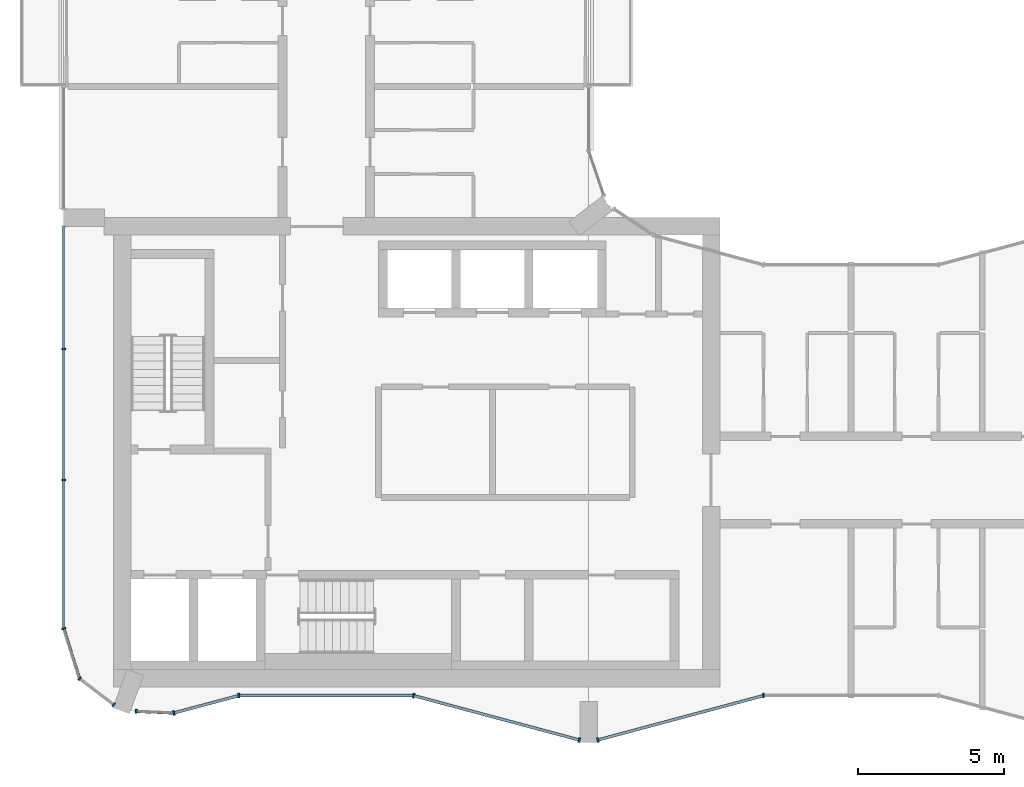
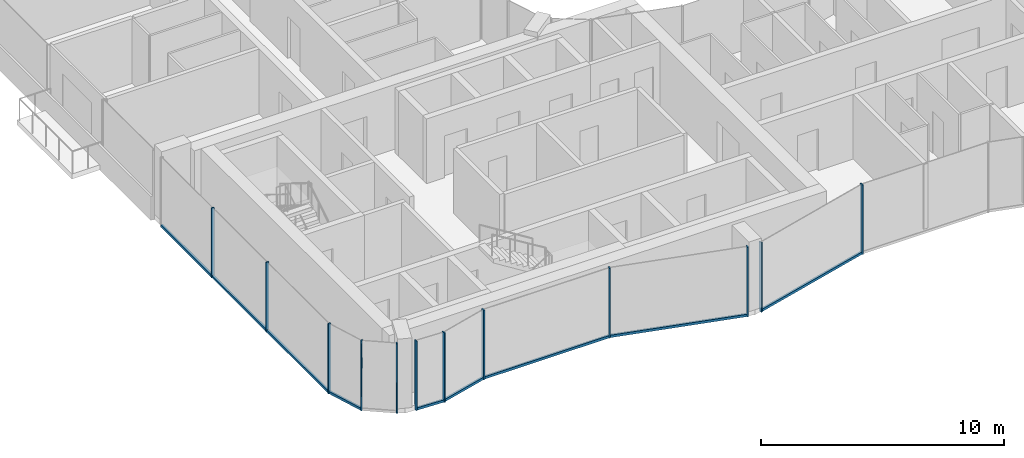
# One storey, part 2 of 16: 19 members, 9 elements without a shape of their own.
"""IFC4 building model written with IfcOpenShell, lengths in metres."""

from ifc_helpers import new_model, si_unit, direction, frame, origin, origin_2d, place, context, subcontext, project, spatial, rectangle, extrude, material, layer, layer_set, material_profile, profile_set, type_object, element, aggregate, save


model = new_model("IFC4")

# Units and contexts
model_context = context("Model", 3, precision=1e-05, world=origin(), true_north=direction((0.0, 1.0)))
body_context = subcontext(model_context, "Body", "Model", "MODEL_VIEW")
ifc_project = project(units=[si_unit("LENGTHUNIT", "METRE"), si_unit("AREAUNIT", "SQUARE_METRE"), si_unit("VOLUMEUNIT", "CUBIC_METRE"), si_unit("PLANEANGLEUNIT", "RADIAN"), si_unit("MASSUNIT", "GRAM", prefix="KILO")], contexts=[model_context])

# Site, building, storey
site_placement = place(None, origin())
site = spatial("IfcSite", under=ifc_project, at=site_placement, CompositionType="ELEMENT")
building_placement = place(site_placement, origin())
building = spatial("IfcBuilding", under=site, at=building_placement, Name="Plateau Cross Towers", CompositionType="ELEMENT")
storey_placement = place(building_placement, frame((0.0, 0.0, 163.89990234375)))
storey = spatial("IfcBuildingStorey", under=building, at=storey_placement, Name="L42", CompositionType="ELEMENT", Elevation=163.89990234375)

# Curtain wall, members
ifc_material_1 = material(Name="Dark low-iron glass", Category="glass")
ifc_layer_1 = layer(ifc_material_1, 0.239990234375)
ifc_layer_set_1 = layer_set([ifc_layer_1], Name="Dark low-iron glass")
curtain_wall_type_1 = type_object("IfcCurtainWallType", Name="Curtain wall flush unitised CW-B", PredefinedType="NOTDEFINED", material=ifc_layer_set_1)
curtain_wall_1_placement = place(storey_placement, origin())
curtain_wall_1 = element("IfcCurtainWall", 1, at=curtain_wall_1_placement, inside=storey, type_object=curtain_wall_type_1, Name="ENV/A/L42/A0_177", PredefinedType="NOTDEFINED")
ifc_material_2 = material(Name="Black anodised aluminium", Category="aluminium")
ifc_material_profile_1 = material_profile(ifc_material_2, rectangle(XDim=0.06005859375, YDim=0.139892578125, at=origin_2d()), Name="MULLION 60x140")
ifc_profile_set_1 = profile_set([ifc_material_profile_1], Name="Black anodised aluminium")
member_type_1 = type_object("IfcMemberType", Name="Mullion 60x140 flush unitised", PredefinedType="MULLION", material=ifc_profile_set_1)
member_1_placement = place(storey_placement, frame((0.0, 13.5, -0.25), z_axis=(0.0, 0.0, 1.0), x_axis=(0.0, -1.0, 0.0)))
member_1 = element("IfcMember", 2, at=member_1_placement, type_object=member_type_1, Name="CW-B mullion 2", PredefinedType="MULLION", context=body_context, shape_type="SweptSolid", body=[
    extrude(rectangle(XDim=0.06005859375, YDim=0.139892578125, at=origin_2d()), origin(), (0.0, 0.0, 1.0), 3.5),
])
member_2_placement = place(storey_placement, frame((0.0, 9.0, -0.25), z_axis=(0.0, 0.0, 1.0), x_axis=(0.0, -1.0, 0.0)))
member_2 = element("IfcMember", 3, at=member_2_placement, type_object=member_type_1, Name="CW-B mullion 3", PredefinedType="MULLION", context=body_context, shape_type="SweptSolid", body=[
    extrude(rectangle(XDim=0.06005859375, YDim=0.139892578125, at=origin_2d()), origin(), (0.0, 0.0, 1.0), 3.5),
])

# Curtain wall, member
curtain_wall_2_placement = place(storey_placement, origin())
curtain_wall_2 = element("IfcCurtainWall", 4, at=curtain_wall_2_placement, inside=storey, type_object=curtain_wall_type_1, Name="ENV/A/L42/A0_39", PredefinedType="NOTDEFINED")
member_3_placement = place(storey_placement, frame((0.0, 3.9091796875, -0.25), z_axis=(0.0, 0.0, 1.0), x_axis=(0.300686174994, -0.95372313811, 0.0)))
member_3 = element("IfcMember", 5, at=member_3_placement, type_object=member_type_1, Name="CW-B mullion 1", PredefinedType="MULLION", context=body_context, shape_type="SweptSolid", body=[
    extrude(rectangle(XDim=0.06005859375, YDim=0.139892578125, at=origin_2d()), origin(), (0.0, 0.0, 1.0), 3.5),
])

# Curtain wall, members
curtain_wall_3_placement = place(storey_placement, origin())
curtain_wall_3 = element("IfcCurtainWall", 6, at=curtain_wall_3_placement, inside=storey, type_object=curtain_wall_type_1, Name="ENV/A/L42/A5_22", PredefinedType="NOTDEFINED")
member_4_placement = place(storey_placement, frame((0.54248046875, 2.1884765625, -0.25), z_axis=(0.0, 0.0, 1.0), x_axis=(0.793315514529, -0.608810721331, 0.0)))
member_4 = element("IfcMember", 7, at=member_4_placement, type_object=member_type_1, Name="CW-B mullion 1", PredefinedType="MULLION", context=body_context, shape_type="SweptSolid", body=[
    extrude(rectangle(XDim=0.06005859375, YDim=0.139892578125, at=origin_2d()), origin(), (0.0, 0.0, 1.0), 3.5),
])
member_5_placement = place(storey_placement, frame((1.709716796875, 1.292724609375, -0.25), z_axis=(0.0, 0.0, 1.0), x_axis=(0.793315514529, -0.608810721331, 0.0)))
member_5 = element("IfcMember", 8, at=member_5_placement, type_object=member_type_1, Name="CW-B mullion 2", PredefinedType="MULLION", context=body_context, shape_type="SweptSolid", body=[
    extrude(rectangle(XDim=0.06005859375, YDim=0.139892578125, at=origin_2d()), origin(), (0.0, 0.0, 1.0), 3.5),
])
aggregate(curtain_wall_3, [member_4, member_5])

# Curtain wall, member
curtain_wall_4_placement = place(storey_placement, origin())
curtain_wall_4 = element("IfcCurtainWall", 9, at=curtain_wall_4_placement, inside=storey, type_object=curtain_wall_type_1, Name="ENV/A/L42/A25_11", PredefinedType="NOTDEFINED")
member_6_placement = place(storey_placement, frame((2.483642578125, 1.06787109375, -0.25), z_axis=(0.0, 0.0, 1.0), x_axis=(0.999043701491, -0.043722791671, 0.0)))
member_6 = element("IfcMember", 10, at=member_6_placement, type_object=member_type_1, Name="CW-B mullion 1", PredefinedType="MULLION", context=body_context, shape_type="SweptSolid", body=[
    extrude(rectangle(XDim=0.06005859375, YDim=0.139892578125, at=origin_2d()), origin(), (0.0, 0.0, 1.0), 3.5),
])

ifc_layer_2 = layer(ifc_material_1, 0.260009765625)
ifc_layer_set_2 = layer_set([ifc_layer_2], Name="Dark low-iron glass")
curtain_wall_type_2 = type_object("IfcCurtainWallType", Name="Curtain wall fluted unitised CW-A", PredefinedType="NOTDEFINED", material=ifc_layer_set_2)
curtain_wall_5_placement = place(storey_placement, origin())
curtain_wall_5 = element("IfcCurtainWall", 11, at=curtain_wall_5_placement, inside=storey, type_object=curtain_wall_type_2, Name="ENV/A/L42/A38_10", PredefinedType="NOTDEFINED")
ifc_material_profile_2 = material_profile(ifc_material_2, rectangle(XDim=0.06005859375, YDim=0.159912109375, at=origin_2d()), Name="MULLION 60x160")
ifc_profile_set_2 = profile_set([ifc_material_profile_2], Name="Black anodised aluminium")
member_type_2 = type_object("IfcMemberType", Name="Mullion 60x160 fluted unitised", PredefinedType="MULLION", material=ifc_profile_set_2)
member_7_placement = place(storey_placement, frame((3.776123046875, 1.01123046875, -0.25), z_axis=(0.0, 0.0, 1.0), x_axis=(0.965957962328, 0.258699081978, 0.0)))
member_7 = element("IfcMember", 12, at=member_7_placement, type_object=member_type_2, Name="CW-A mullion 1", PredefinedType="MULLION", context=body_context, shape_type="SweptSolid", body=[
    extrude(rectangle(XDim=0.06005859375, YDim=0.159912109375, at=origin_2d()), origin(), (0.0, 0.0, 1.0), 3.5),
])

curtain_wall_6_placement = place(storey_placement, origin())
curtain_wall_6 = element("IfcCurtainWall", 13, at=curtain_wall_6_placement, inside=storey, type_object=curtain_wall_type_2, Name="ENV/A/L42/A60_16", PredefinedType="NOTDEFINED")
member_8_placement = place(storey_placement, frame((6.0, 1.60693359375, -0.25), z_axis=(0.0, 0.0, 1.0), x_axis=(1.0, 0.0, 0.0)))
member_8 = element("IfcMember", 14, at=member_8_placement, type_object=member_type_2, Name="CW-A mullion 1", PredefinedType="MULLION", context=body_context, shape_type="SweptSolid", body=[
    extrude(rectangle(XDim=0.06005859375, YDim=0.159912109375, at=origin_2d()), origin(), (0.0, 0.0, 1.0), 3.5),
])

# Curtain wall, members
curtain_wall_7_placement = place(storey_placement, origin())
curtain_wall_7 = element("IfcCurtainWall", 15, at=curtain_wall_7_placement, inside=storey, type_object=curtain_wall_type_2, Name="ENV/A/L42/A120_16", PredefinedType="NOTDEFINED")
member_9_placement = place(storey_placement, frame((12.0, 1.60693359375, -0.25), z_axis=(0.0, 0.0, 1.0), x_axis=(0.965957983404, -0.258699003279, 0.0)))
member_9 = element("IfcMember", 16, at=member_9_placement, type_object=member_type_2, Name="CW-A mullion 1", PredefinedType="MULLION", context=body_context, shape_type="SweptSolid", body=[
    extrude(rectangle(XDim=0.06005859375, YDim=0.159912109375, at=origin_2d()), origin(), (0.0, 0.0, 1.0), 3.5),
])
member_10_placement = place(storey_placement, frame((17.68212890625, 0.085205078125, -0.25), z_axis=(0.0, 0.0, 1.0), x_axis=(0.965957983404, -0.258699003279, 0.0)))
member_10 = element("IfcMember", 17, at=member_10_placement, type_object=member_type_2, Name="CW-A mullion 2", PredefinedType="MULLION", context=body_context, shape_type="SweptSolid", body=[
    extrude(rectangle(XDim=0.06005859375, YDim=0.159912109375, at=origin_2d()), origin(), (0.0, 0.0, 1.0), 3.5),
])

# Curtain wall, member
curtain_wall_8_placement = place(storey_placement, origin())
curtain_wall_8 = element("IfcCurtainWall", 18, at=curtain_wall_8_placement, inside=storey, type_object=curtain_wall_type_2, Name="ENV/A/L42/A183_1", PredefinedType="NOTDEFINED")
member_11_placement = place(storey_placement, frame((18.31787109375, 0.085205078125, -0.25), z_axis=(0.0, 0.0, 1.0), x_axis=(0.965957983404, 0.258699003279, 0.0)))
member_11 = element("IfcMember", 19, at=member_11_placement, type_object=member_type_2, Name="CW-A mullion 1", PredefinedType="MULLION", context=body_context, shape_type="SweptSolid", body=[
    extrude(rectangle(XDim=0.06005859375, YDim=0.159912109375, at=origin_2d()), origin(), (0.0, 0.0, 1.0), 3.5),
])

curtain_wall_9_placement = place(storey_placement, origin())
curtain_wall_9 = element("IfcCurtainWall", 20, at=curtain_wall_9_placement, inside=storey, type_object=curtain_wall_type_2, Name="ENV/A/L42/A240_16", PredefinedType="NOTDEFINED")
member_12_placement = place(storey_placement, frame((24.0, 1.60693359375, -0.25), z_axis=(0.0, 0.0, 1.0), x_axis=(1.0, 0.0, 0.0)))
member_12 = element("IfcMember", 21, at=member_12_placement, type_object=member_type_2, Name="CW-A mullion 1", PredefinedType="MULLION", context=body_context, shape_type="SweptSolid", body=[
    extrude(rectangle(XDim=0.06005859375, YDim=0.159912109375, at=origin_2d()), origin(), (0.0, 0.0, 1.0), 3.5),
])
aggregate(curtain_wall_9, [member_12])

# Member
ifc_material_profile_3 = material_profile(ifc_material_2, rectangle(XDim=0.10009765625, YDim=0.1201171875, at=origin_2d()), Name="TRANSOM 100x120")
ifc_profile_set_3 = profile_set([ifc_material_profile_3], Name="Black anodised aluminium")
member_type_3 = type_object("IfcMemberType", Name="Transom 100x120 flush unitised", PredefinedType="USERDEFINED", material=ifc_profile_set_3)
member_13_placement = place(storey_placement, frame((0.0, 17.699951171875, -0.18994140625), z_axis=(0.0, -1.0, 0.0), x_axis=(1.0, 0.0, 0.0)))
member_13 = element("IfcMember", 22, at=member_13_placement, type_object=member_type_3, Name="CW-B transom", ObjectType="TRANSOM", PredefinedType="USERDEFINED", context=body_context, shape_type="SweptSolid", body=[
    extrude(rectangle(XDim=0.10009765625, YDim=0.1201171875, at=origin_2d()), origin(), (0.0, 0.0, 1.0), 13.790771484375),
])

aggregate(curtain_wall_1, [member_1, member_2, member_13])

member_14_placement = place(storey_placement, frame((0.0, 3.9091796875, -0.18994140625), z_axis=(0.30067799945, -0.953725715626, 0.0), x_axis=(0.953725715626, 0.30067799945, 0.0)))
member_14 = element("IfcMember", 23, at=member_14_placement, type_object=member_type_3, Name="CW-B transom", ObjectType="TRANSOM", PredefinedType="USERDEFINED", context=body_context, shape_type="SweptSolid", body=[
    extrude(rectangle(XDim=0.10009765625, YDim=0.1201171875, at=origin_2d()), origin(), (0.0, 0.0, 1.0), 1.80419921875),
])

aggregate(curtain_wall_2, [member_3, member_14])

member_15_placement = place(storey_placement, frame((2.483642578125, 1.06787109375, -0.18994140625), z_axis=(0.999041144614, -0.043781175963, 0.0), x_axis=(0.043781175963, 0.999041144614, 0.0)))
member_15 = element("IfcMember", 24, at=member_15_placement, type_object=member_type_3, Name="CW-B transom", ObjectType="TRANSOM", PredefinedType="USERDEFINED", context=body_context, shape_type="SweptSolid", body=[
    extrude(rectangle(XDim=0.10009765625, YDim=0.1201171875, at=origin_2d()), origin(), (0.0, 0.0, 1.0), 1.293701171875),
])

aggregate(curtain_wall_4, [member_6, member_15])

ifc_material_profile_4 = material_profile(ifc_material_2, rectangle(XDim=0.10009765625, YDim=0.1201171875, at=origin_2d()), Name="TRANSOM 100x120")
ifc_profile_set_4 = profile_set([ifc_material_profile_4], Name="Black anodised aluminium")
member_type_4 = type_object("IfcMemberType", Name="Transom 100x120 fluted unitised", PredefinedType="USERDEFINED", material=ifc_profile_set_4)
member_16_placement = place(storey_placement, frame((3.776123046875, 1.01123046875, -0.18994140625), z_axis=(0.965945685136, 0.258744919501, 0.0), x_axis=(-0.258744919501, 0.965945685136, 0.0)))
member_16 = element("IfcMember", 25, at=member_16_placement, type_object=member_type_4, Name="CW-A transom", ObjectType="TRANSOM", PredefinedType="USERDEFINED", context=body_context, shape_type="SweptSolid", body=[
    extrude(rectangle(XDim=0.10009765625, YDim=0.1201171875, at=origin_2d()), origin(), (0.0, 0.0, 1.0), 2.30224609375),
])

aggregate(curtain_wall_5, [member_7, member_16])

member_17_placement = place(storey_placement, frame((6.0, 1.60693359375, -0.18994140625), z_axis=(1.0, 0.0, 0.0), x_axis=(0.0, 1.0, 0.0)))
member_17 = element("IfcMember", 26, at=member_17_placement, type_object=member_type_4, Name="CW-A transom", ObjectType="TRANSOM", PredefinedType="USERDEFINED", context=body_context, shape_type="SweptSolid", body=[
    extrude(rectangle(XDim=0.10009765625, YDim=0.1201171875, at=origin_2d()), origin(), (0.0, 0.0, 1.0), 6.0),
])

aggregate(curtain_wall_6, [member_8, member_17])

member_18_placement = place(storey_placement, frame((12.0, 1.60693359375, -0.18994140625), z_axis=(0.965959534794, -0.258693210465, 0.0), x_axis=(0.258693210465, 0.965959534794, 0.0)))
member_18 = element("IfcMember", 27, at=member_18_placement, type_object=member_type_4, Name="CW-A transom", ObjectType="TRANSOM", PredefinedType="USERDEFINED", context=body_context, shape_type="SweptSolid", body=[
    extrude(rectangle(XDim=0.10009765625, YDim=0.1201171875, at=origin_2d()), origin(), (0.0, 0.0, 1.0), 5.88232421875),
])

aggregate(curtain_wall_7, [member_9, member_10, member_18])

member_19_placement = place(storey_placement, frame((18.31787109375, 0.085205078125, -0.18994140625), z_axis=(0.965959534794, 0.258693210465, 0.0), x_axis=(-0.258693210465, 0.965959534794, 0.0)))
member_19 = element("IfcMember", 28, at=member_19_placement, type_object=member_type_4, Name="CW-A transom", ObjectType="TRANSOM", PredefinedType="USERDEFINED", context=body_context, shape_type="SweptSolid", body=[
    extrude(rectangle(XDim=0.10009765625, YDim=0.1201171875, at=origin_2d()), origin(), (0.0, 0.0, 1.0), 5.88232421875),
])

aggregate(curtain_wall_8, [member_11, member_19])

save(model, "model.ifc")
